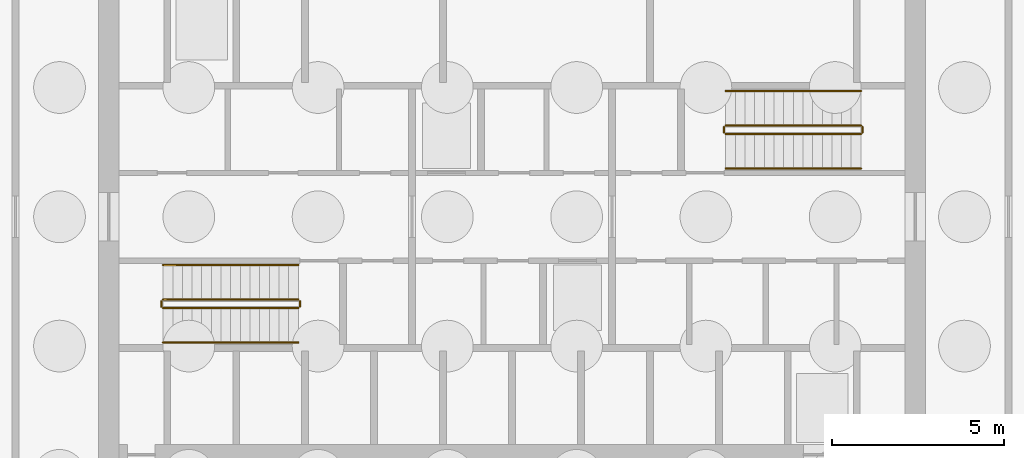
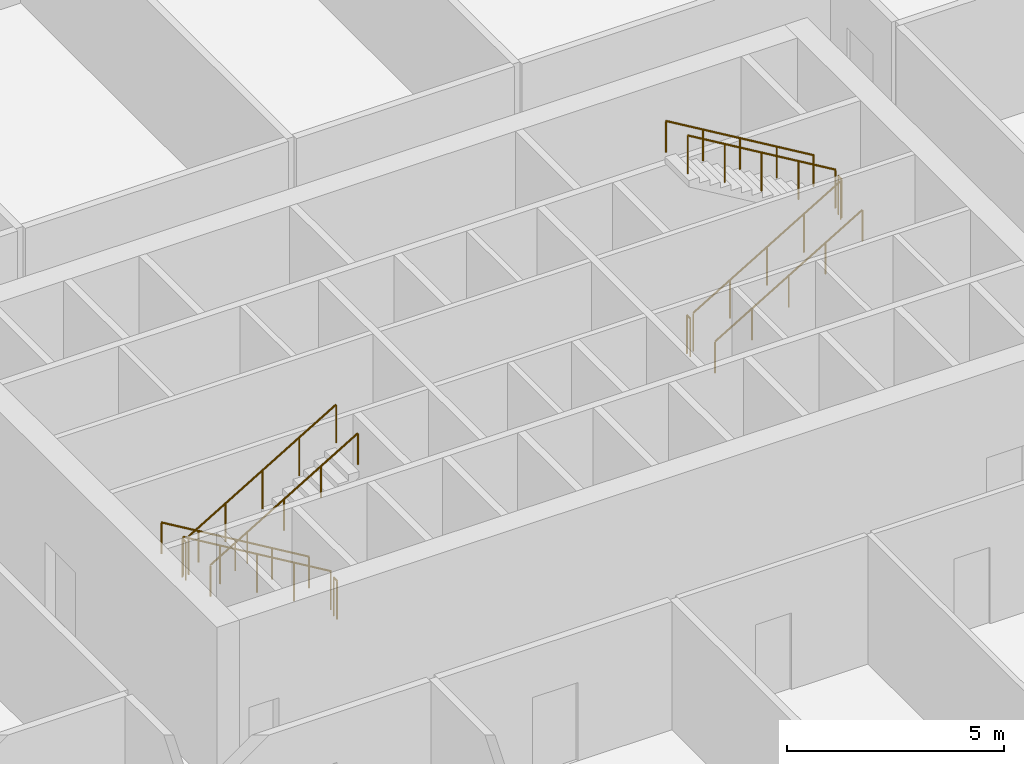
# One storey, part 6 of 7: 12 railings.
"""IFC4 building model written with IfcOpenShell, lengths in metres."""

from ifc_helpers import new_model, si_unit, direction, frame, origin, origin_2d, place, context, subcontext, project, spatial, circle, extrude, material, type_object, element, save


model = new_model("IFC4")

# Units and contexts
model_context = context("Model", 3, precision=1e-05, world=origin(), true_north=direction((0.0, 1.0)))
body_context = subcontext(model_context, "Body", "Model", "MODEL_VIEW")
ifc_project = project(units=[si_unit("LENGTHUNIT", "METRE"), si_unit("AREAUNIT", "SQUARE_METRE"), si_unit("VOLUMEUNIT", "CUBIC_METRE"), si_unit("PLANEANGLEUNIT", "RADIAN"), si_unit("MASSUNIT", "GRAM", prefix="KILO")], contexts=[model_context])

# Site, building, storey
site_placement = place(None, origin())
site = spatial("IfcSite", under=ifc_project, at=site_placement, CompositionType="ELEMENT")
building_placement = place(site_placement, origin())
building = spatial("IfcBuilding", under=site, at=building_placement, Name="Siaravel Broadcast Tower", CompositionType="ELEMENT")
storey_placement = place(building_placement, frame((0.0, 0.0, -5.0)))
storey = spatial("IfcBuildingStorey", under=building, at=storey_placement, Name="B1", CompositionType="ELEMENT", Elevation=-5.0)

# Railings
ifc_material = material(Name="Stainless steel 316L", Category="steel")
railing_type_1 = type_object("IfcRailingType", Name="Stair guard 1100", PredefinedType="GUARDRAIL", material=ifc_material)
railing_1_placement = place(storey_placement, frame((-6.199951171875, -2.39990234375, 0.166748046875)))
element("IfcRailing", 1, at=railing_1_placement, inside=storey, type_object=railing_type_1, Name="B1 ST-1 stair guard 1", PredefinedType="GUARDRAIL", context=body_context, shape_type="SweptSolid", body=[
    extrude(circle(Radius=0.02392578125, at=origin_2d()), frame((0.0, 0.0, 1.076171875), z_axis=(-0.859310245, 0.0, 0.511454693), x_axis=(0.0, -1.0, 0.0)), (0.0, 0.0, 1.0), 4.56201171875),
    extrude(circle(Radius=0.02099609375, at=origin_2d()), origin(), (0.0, 0.0, 1.0), 1.052001953125),
    extrude(circle(Radius=0.02099609375, at=origin_2d()), frame((-0.97998046875, 0.0, 0.583251953125)), (0.0, 0.0, 1.0), 1.052001953125),
    extrude(circle(Radius=0.02099609375, at=origin_2d()), frame((-1.9599609375, 0.0, 1.16650390625)), (0.0, 0.0, 1.0), 1.052001953125),
    extrude(circle(Radius=0.02099609375, at=origin_2d()), frame((-2.940185546875, 0.0, 1.75)), (0.0, 0.0, 1.0), 1.052001953125),
    extrude(circle(Radius=0.02099609375, at=origin_2d()), frame((-3.920166015625, 0.0, 2.333251953125)), (0.0, 0.0, 1.0), 1.052001953125),
])
railing_2_placement = place(storey_placement, frame((-10.169921875, -2.449951171875, 2.5)))
element("IfcRailing", 2, at=railing_2_placement, inside=storey, type_object=railing_type_1, Name="B1 ST-1 stair guard 2", PredefinedType="GUARDRAIL", context=body_context, shape_type="SweptSolid", body=[
    extrude(circle(Radius=0.02392578125, at=origin_2d()), frame((0.0, 0.0, 1.076171875), z_axis=(0.0, -1.0, 0.0), x_axis=(1.0, 0.0, 0.0)), (0.0, 0.0, 1.0), 0.150146484375),
    extrude(circle(Radius=0.02099609375, at=origin_2d()), origin(), (0.0, 0.0, 1.0), 1.052001953125),
    extrude(circle(Radius=0.02099609375, at=origin_2d()), frame((0.0, -0.150146484375, 0.0)), (0.0, 0.0, 1.0), 1.052001953125),
])
railing_3_placement = place(storey_placement, frame((-10.1201171875, -2.64990234375, 2.666748046875)))
element("IfcRailing", 3, at=railing_3_placement, inside=storey, type_object=railing_type_1, Name="B1 ST-1 stair guard 3", PredefinedType="GUARDRAIL", context=body_context, shape_type="SweptSolid", body=[
    extrude(circle(Radius=0.02392578125, at=origin_2d()), frame((0.0, 0.0, 1.076171875), z_axis=(0.859310245, 0.0, 0.511454693), x_axis=(0.0, 1.0, 0.0)), (0.0, 0.0, 1.0), 4.56201171875),
    extrude(circle(Radius=0.02099609375, at=origin_2d()), origin(), (0.0, 0.0, 1.0), 1.052001953125),
    extrude(circle(Radius=0.02099609375, at=origin_2d()), frame((0.97998046875, 0.0, 0.583251953125)), (0.0, 0.0, 1.0), 1.052001953125),
    extrude(circle(Radius=0.02099609375, at=origin_2d()), frame((1.9599609375, 0.0, 1.16650390625)), (0.0, 0.0, 1.0), 1.052001953125),
    extrude(circle(Radius=0.02099609375, at=origin_2d()), frame((2.940185546875, 0.0, 1.75)), (0.0, 0.0, 1.0), 1.052001953125),
    extrude(circle(Radius=0.02099609375, at=origin_2d()), frame((3.920166015625, 0.0, 2.333251953125)), (0.0, 0.0, 1.0), 1.052001953125),
])
railing_4_placement = place(storey_placement, frame((-6.14990234375, -2.449951171875, 0.0)))
element("IfcRailing", 4, at=railing_4_placement, inside=storey, type_object=railing_type_1, Name="B1 ST-1 stair guard 4", PredefinedType="GUARDRAIL", context=body_context, shape_type="SweptSolid", body=[
    extrude(circle(Radius=0.02392578125, at=origin_2d()), frame((0.0, 0.0, 1.076171875), z_axis=(0.0, -1.0, 0.0), x_axis=(1.0, 0.0, 0.0)), (0.0, 0.0, 1.0), 0.150146484375),
    extrude(circle(Radius=0.02099609375, at=origin_2d()), origin(), (0.0, 0.0, 1.0), 1.052001953125),
    extrude(circle(Radius=0.02099609375, at=origin_2d()), frame((0.0, -0.150146484375, 0.0)), (0.0, 0.0, 1.0), 1.052001953125),
])
railing_5_placement = place(storey_placement, frame((6.199951171875, 2.39990234375, 0.166748046875)))
element("IfcRailing", 5, at=railing_5_placement, inside=storey, type_object=railing_type_1, Name="B1 ST-2 stair guard 1", PredefinedType="GUARDRAIL", context=body_context, shape_type="SweptSolid", body=[
    extrude(circle(Radius=0.02392578125, at=origin_2d()), frame((0.0, 0.0, 1.076171875), z_axis=(0.859310245, 0.0, 0.511454693), x_axis=(0.0, 1.0, 0.0)), (0.0, 0.0, 1.0), 4.56201171875),
    extrude(circle(Radius=0.02099609375, at=origin_2d()), origin(), (0.0, 0.0, 1.0), 1.052001953125),
    extrude(circle(Radius=0.02099609375, at=origin_2d()), frame((0.97998046875, 0.0, 0.583251953125)), (0.0, 0.0, 1.0), 1.052001953125),
    extrude(circle(Radius=0.02099609375, at=origin_2d()), frame((1.9599609375, 0.0, 1.16650390625)), (0.0, 0.0, 1.0), 1.052001953125),
    extrude(circle(Radius=0.02099609375, at=origin_2d()), frame((2.940185546875, 0.0, 1.75)), (0.0, 0.0, 1.0), 1.052001953125),
    extrude(circle(Radius=0.02099609375, at=origin_2d()), frame((3.920166015625, 0.0, 2.333251953125)), (0.0, 0.0, 1.0), 1.052001953125),
])
railing_6_placement = place(storey_placement, frame((10.169921875, 2.449951171875, 2.5)))
element("IfcRailing", 6, at=railing_6_placement, inside=storey, type_object=railing_type_1, Name="B1 ST-2 stair guard 2", PredefinedType="GUARDRAIL", context=body_context, shape_type="SweptSolid", body=[
    extrude(circle(Radius=0.02392578125, at=origin_2d()), frame((0.0, 0.0, 1.076171875), z_axis=(0.0, 1.0, 0.0), x_axis=(-1.0, 0.0, 0.0)), (0.0, 0.0, 1.0), 0.150146484375),
    extrude(circle(Radius=0.02099609375, at=origin_2d()), origin(), (0.0, 0.0, 1.0), 1.052001953125),
    extrude(circle(Radius=0.02099609375, at=origin_2d()), frame((0.0, 0.150146484375, 0.0)), (0.0, 0.0, 1.0), 1.052001953125),
])
railing_7_placement = place(storey_placement, frame((10.1201171875, 2.64990234375, 2.666748046875)))
element("IfcRailing", 7, at=railing_7_placement, inside=storey, type_object=railing_type_1, Name="B1 ST-2 stair guard 3", PredefinedType="GUARDRAIL", context=body_context, shape_type="SweptSolid", body=[
    extrude(circle(Radius=0.02392578125, at=origin_2d()), frame((0.0, 0.0, 1.076171875), z_axis=(-0.859310245, 0.0, 0.511454693), x_axis=(0.0, -1.0, 0.0)), (0.0, 0.0, 1.0), 4.56201171875),
    extrude(circle(Radius=0.02099609375, at=origin_2d()), origin(), (0.0, 0.0, 1.0), 1.052001953125),
    extrude(circle(Radius=0.02099609375, at=origin_2d()), frame((-0.97998046875, 0.0, 0.583251953125)), (0.0, 0.0, 1.0), 1.052001953125),
    extrude(circle(Radius=0.02099609375, at=origin_2d()), frame((-1.9599609375, 0.0, 1.16650390625)), (0.0, 0.0, 1.0), 1.052001953125),
    extrude(circle(Radius=0.02099609375, at=origin_2d()), frame((-2.940185546875, 0.0, 1.75)), (0.0, 0.0, 1.0), 1.052001953125),
    extrude(circle(Radius=0.02099609375, at=origin_2d()), frame((-3.920166015625, 0.0, 2.333251953125)), (0.0, 0.0, 1.0), 1.052001953125),
])
railing_8_placement = place(storey_placement, frame((6.14990234375, 2.449951171875, 0.0)))
element("IfcRailing", 8, at=railing_8_placement, inside=storey, type_object=railing_type_1, Name="B1 ST-2 stair guard 4", PredefinedType="GUARDRAIL", context=body_context, shape_type="SweptSolid", body=[
    extrude(circle(Radius=0.02392578125, at=origin_2d()), frame((0.0, 0.0, 1.076171875), z_axis=(0.0, 1.0, 0.0), x_axis=(-1.0, 0.0, 0.0)), (0.0, 0.0, 1.0), 0.150146484375),
    extrude(circle(Radius=0.02099609375, at=origin_2d()), origin(), (0.0, 0.0, 1.0), 1.052001953125),
    extrude(circle(Radius=0.02099609375, at=origin_2d()), frame((0.0, 0.150146484375, 0.0)), (0.0, 0.0, 1.0), 1.052001953125),
])
railing_type_2 = type_object("IfcRailingType", Name="Stair handrail 900", PredefinedType="HANDRAIL", material=ifc_material)
railing_9_placement = place(storey_placement, frame((-6.199951171875, -1.39990234375, 0.166748046875)))
element("IfcRailing", 9, at=railing_9_placement, inside=storey, type_object=railing_type_2, Name="B1 ST-1 stair handrail 1", PredefinedType="HANDRAIL", context=body_context, shape_type="SweptSolid", body=[
    extrude(circle(Radius=0.02392578125, at=origin_2d()), frame((0.0, 0.0, 0.8759765625), z_axis=(-0.859310245, 0.0, 0.511454693), x_axis=(0.0, -1.0, 0.0)), (0.0, 0.0, 1.0), 4.56201171875),
    extrude(circle(Radius=0.02099609375, at=origin_2d()), origin(), (0.0, 0.0, 1.0), 0.851806640625),
    extrude(circle(Radius=0.02099609375, at=origin_2d()), frame((-0.97998046875, 0.0, 0.583251953125)), (0.0, 0.0, 1.0), 0.851806640625),
    extrude(circle(Radius=0.02099609375, at=origin_2d()), frame((-1.9599609375, 0.0, 1.16650390625)), (0.0, 0.0, 1.0), 0.851806640625),
    extrude(circle(Radius=0.02099609375, at=origin_2d()), frame((-2.940185546875, 0.0, 1.75)), (0.0, 0.0, 1.0), 0.851806640625),
    extrude(circle(Radius=0.02099609375, at=origin_2d()), frame((-3.920166015625, 0.0, 2.333251953125)), (0.0, 0.0, 1.0), 0.851806640625),
])
for number, where, name in (
    (10, (-10.1201171875, -3.64990234375, 2.666748046875), "B1 ST-1 stair handrail 2"),
    (11, (6.199951171875, 1.39990234375, 0.166748046875), "B1 ST-2 stair handrail 1"),
):
    element("IfcRailing", number, at=place(storey_placement, frame(where)), inside=storey, type_object=railing_type_2, Name=name, PredefinedType="HANDRAIL", context=body_context, shape_type="SweptSolid", body=[
        extrude(circle(Radius=0.02392578125, at=origin_2d()), frame((0.0, 0.0, 0.8759765625), z_axis=(0.859310245, 0.0, 0.511454693), x_axis=(0.0, 1.0, 0.0)), (0.0, 0.0, 1.0), 4.56201171875),
        extrude(circle(Radius=0.02099609375, at=origin_2d()), origin(), (0.0, 0.0, 1.0), 0.851806640625),
        extrude(circle(Radius=0.02099609375, at=origin_2d()), frame((0.97998046875, 0.0, 0.583251953125)), (0.0, 0.0, 1.0), 0.851806640625),
        extrude(circle(Radius=0.02099609375, at=origin_2d()), frame((1.9599609375, 0.0, 1.16650390625)), (0.0, 0.0, 1.0), 0.851806640625),
        extrude(circle(Radius=0.02099609375, at=origin_2d()), frame((2.940185546875, 0.0, 1.75)), (0.0, 0.0, 1.0), 0.851806640625),
        extrude(circle(Radius=0.02099609375, at=origin_2d()), frame((3.920166015625, 0.0, 2.333251953125)), (0.0, 0.0, 1.0), 0.851806640625),
    ])
railing_10_placement = place(storey_placement, frame((10.1201171875, 3.64990234375, 2.666748046875)))
element("IfcRailing", 12, at=railing_10_placement, inside=storey, type_object=railing_type_2, Name="B1 ST-2 stair handrail 2", PredefinedType="HANDRAIL", context=body_context, shape_type="SweptSolid", body=[
    extrude(circle(Radius=0.02392578125, at=origin_2d()), frame((0.0, 0.0, 0.8759765625), z_axis=(-0.859310245, 0.0, 0.511454693), x_axis=(0.0, -1.0, 0.0)), (0.0, 0.0, 1.0), 4.56201171875),
    extrude(circle(Radius=0.02099609375, at=origin_2d()), origin(), (0.0, 0.0, 1.0), 0.851806640625),
    extrude(circle(Radius=0.02099609375, at=origin_2d()), frame((-0.97998046875, 0.0, 0.583251953125)), (0.0, 0.0, 1.0), 0.851806640625),
    extrude(circle(Radius=0.02099609375, at=origin_2d()), frame((-1.9599609375, 0.0, 1.16650390625)), (0.0, 0.0, 1.0), 0.851806640625),
    extrude(circle(Radius=0.02099609375, at=origin_2d()), frame((-2.940185546875, 0.0, 1.75)), (0.0, 0.0, 1.0), 0.851806640625),
    extrude(circle(Radius=0.02099609375, at=origin_2d()), frame((-3.920166015625, 0.0, 2.333251953125)), (0.0, 0.0, 1.0), 0.851806640625),
])

save(model, "model.ifc")
